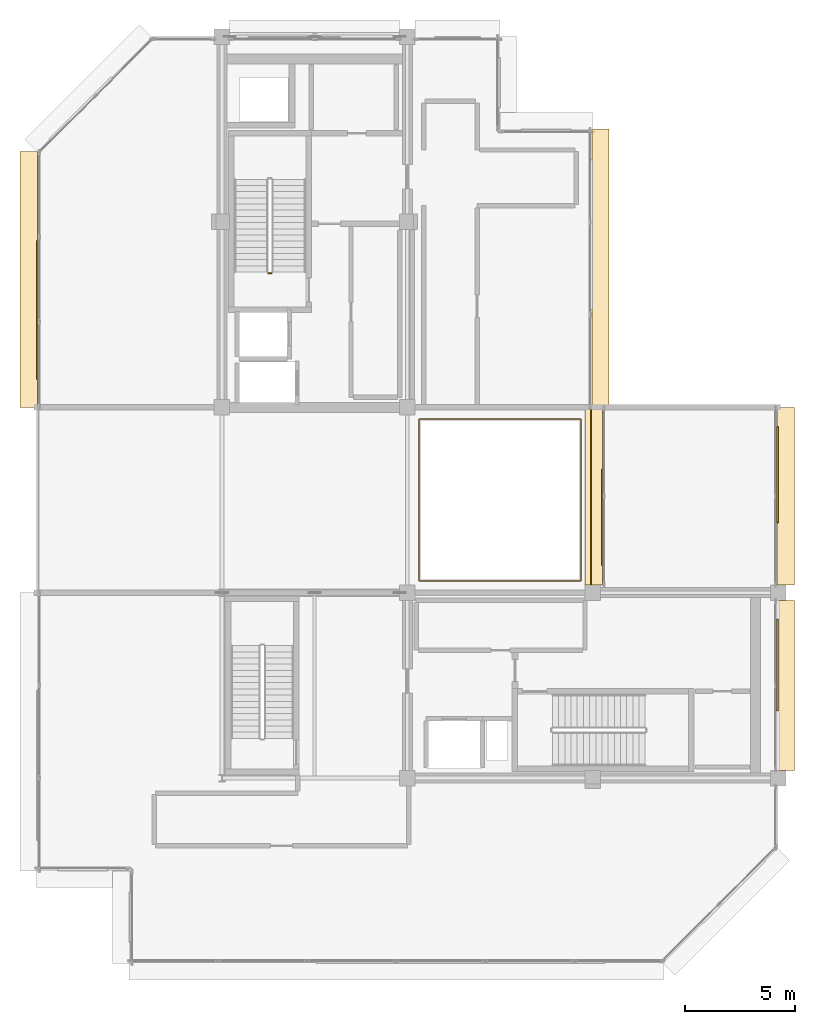
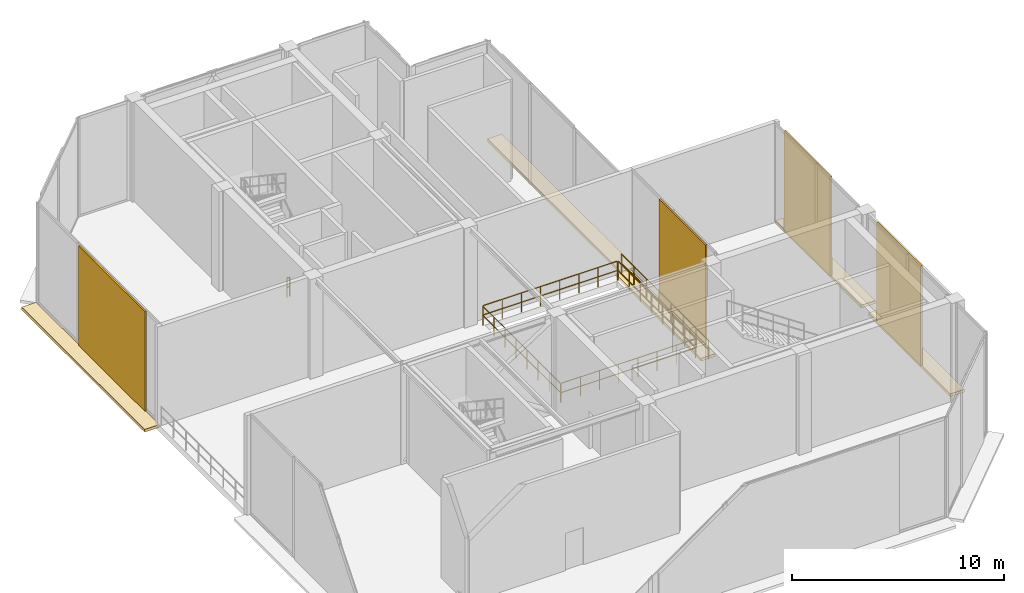
# One storey, part 18 of 19: 9 coverings, 6 railings.
"""IFC4 building model written with IfcOpenShell, lengths in metres."""

from ifc_helpers import new_model, si_unit, direction, frame, origin, origin_2d, place, context, subcontext, project, spatial, polyline, rectangle, circle, outline, extrude, material, layer, layer_set, type_object, element, save


model = new_model("IFC4")

# Units and contexts
model_context = context("Model", 3, precision=1e-05, world=origin(), true_north=direction((0.0, 1.0)))
body_context = subcontext(model_context, "Body", "Model", "MODEL_VIEW")
ifc_project = project(units=[si_unit("LENGTHUNIT", "METRE"), si_unit("AREAUNIT", "SQUARE_METRE"), si_unit("VOLUMEUNIT", "CUBIC_METRE"), si_unit("PLANEANGLEUNIT", "RADIAN"), si_unit("MASSUNIT", "GRAM", prefix="KILO")], contexts=[model_context])

# Site, building, storey
site_placement = place(None, origin())
site = spatial("IfcSite", under=ifc_project, at=site_placement, CompositionType="ELEMENT")
building_placement = place(site_placement, origin())
building = spatial("IfcBuilding", under=site, at=building_placement, Name="Nerrivon Quay Data Exchange", CompositionType="ELEMENT")
storey_placement = place(building_placement, frame((0.0, 0.0, 327.0)))
storey = spatial("IfcBuildingStorey", under=building, at=storey_placement, Name="L78", CompositionType="ELEMENT", Elevation=327.0)

# Coverings
ifc_material_1 = material(Name="Architectural terracotta ceramic", Category="masonry")
ifc_layer_1 = layer(ifc_material_1, 0.159912109375)
ifc_layer_set_1 = layer_set([ifc_layer_1], Name="Architectural terracotta ceramic")
covering_type_1 = type_object("IfcCoveringType", Name="COV-BLD-TERR", PredefinedType="CLADDING", material=ifc_layer_set_1)
covering_1_placement = place(storey_placement, frame((0.0, 0.0, -0.159912109375)))
element("IfcCovering", 1, at=covering_1_placement, inside=storey, type_object=covering_type_1, Name="L78 Horizontal Terracotta SOLAR SCREEN Blade", PredefinedType="CLADDING", context=body_context, shape_type="SweptSolid", body=[
    extrude(outline(polyline([(33.56005859375, 25.199951171875), (33.56005859375, 17.14990234375), (34.35009765625, 17.14990234375), (34.35009765625, 25.199951171875), (33.56005859375, 25.199951171875)])), origin(), (0.0, 0.0, 1.0), 0.159912109375),
])
covering_2_placement = place(storey_placement, frame((0.0, 0.0, -0.159912109375)))
element("IfcCovering", 2, at=covering_2_placement, inside=storey, type_object=covering_type_1, Name="L78 Horizontal Terracotta SOLAR SCREEN Blade", PredefinedType="CLADDING", context=body_context, shape_type="SweptSolid", body=[
    extrude(outline(polyline([(33.56005859375, 16.449951171875), (33.56005859375, 8.75), (34.35009765625, 8.75), (34.35009765625, 16.449951171875), (33.56005859375, 16.449951171875)])), origin(), (0.0, 0.0, 1.0), 0.159912109375),
])
covering_3_placement = place(storey_placement, frame((0.0, 0.0, -0.159912109375)))
element("IfcCovering", 3, at=covering_3_placement, inside=storey, type_object=covering_type_1, Name="L78 Horizontal Terracotta SOLAR SCREEN Blade", PredefinedType="CLADDING", context=body_context, shape_type="SweptSolid", body=[
    extrude(outline(polyline([(25.639892578125, 17.14990234375), (25.639892578125, 25.199951171875), (24.85009765625, 25.199951171875), (24.85009765625, 17.14990234375), (25.639892578125, 17.14990234375)])), origin(), (0.0, 0.0, 1.0), 0.159912109375),
])
covering_4_placement = place(storey_placement, frame((0.0, 0.0, -0.159912109375)))
element("IfcCovering", 4, at=covering_4_placement, inside=storey, type_object=covering_type_1, Name="L78 Horizontal Terracotta SOLAR SCREEN Blade", PredefinedType="CLADDING", context=body_context, shape_type="SweptSolid", body=[
    extrude(outline(polyline([(25.159912109375, 37.800048828125), (25.159912109375, 25.199951171875), (25.949951171875, 25.199951171875), (25.949951171875, 37.800048828125), (25.159912109375, 37.800048828125)])), origin(), (0.0, 0.0, 1.0), 0.159912109375),
])
covering_5_placement = place(storey_placement, frame((0.0, 0.0, -0.159912109375)))
element("IfcCovering", 5, at=covering_5_placement, inside=storey, type_object=covering_type_1, Name="L78 Horizontal Terracotta SOLAR SCREEN Blade", PredefinedType="CLADDING", context=body_context, shape_type="SweptSolid", body=[
    extrude(outline(polyline([(0.0400390625, 25.199951171875), (0.0400390625, 36.800048828125), (-0.75, 36.800048828125), (-0.75, 25.199951171875), (0.0400390625, 25.199951171875)])), origin(), (0.0, 0.0, 1.0), 0.159912109375),
])
ifc_layer_2 = layer(ifc_material_1, 0.090087890625)
ifc_layer_set_2 = layer_set([ifc_layer_2], Name="Architectural terracotta ceramic")
covering_type_2 = type_object("IfcCoveringType", Name="COV-SCR-TERR", PredefinedType="CLADDING", material=ifc_layer_set_2)
covering_6_placement = place(storey_placement, frame((33.554931640625, 22.14111328125, 0.0), z_axis=(0.0, 0.0, 1.0), x_axis=(0.0, -1.0, 0.0)))
element("IfcCovering", 6, at=covering_6_placement, inside=storey, type_object=covering_type_2, Name="L78 Perforated Terracotta SOLAR SCREEN Cassette", PredefinedType="CLADDING", context=body_context, shape_type="SweptSolid", body=[
    extrude(rectangle(XDim=4.346923828125, YDim=0.090087890625, at=origin_2d()), origin(), (0.0, 0.0, 1.0), 5.72509765625),
])
covering_7_placement = place(storey_placement, frame((33.554931640625, 13.52392578125, 0.0), z_axis=(0.0, 0.0, 1.0), x_axis=(0.0, -1.0, 0.0)))
element("IfcCovering", 7, at=covering_7_placement, inside=storey, type_object=covering_type_2, Name="L78 Perforated Terracotta SOLAR SCREEN Cassette", PredefinedType="CLADDING", context=body_context, shape_type="SweptSolid", body=[
    extrude(rectangle(XDim=4.157958984375, YDim=0.090087890625, at=origin_2d()), origin(), (0.0, 0.0, 1.0), 5.72509765625),
])
covering_8_placement = place(storey_placement, frame((25.64501953125, 20.208984375, 0.0), z_axis=(0.0, 0.0, 1.0), x_axis=(0.0, 1.0, 0.0)))
element("IfcCovering", 8, at=covering_8_placement, inside=storey, type_object=covering_type_2, Name="L78 Perforated Terracotta SOLAR SCREEN Cassette", PredefinedType="CLADDING", context=body_context, shape_type="SweptSolid", body=[
    extrude(rectangle(XDim=4.346923828125, YDim=0.090087890625, at=origin_2d()), origin(), (0.0, 0.0, 1.0), 5.72509765625),
])
covering_9_placement = place(storey_placement, frame((0.044921875, 29.60791015625, 0.0), z_axis=(0.0, 0.0, 1.0), x_axis=(0.0, 1.0, 0.0)))
element("IfcCovering", 9, at=covering_9_placement, inside=storey, type_object=covering_type_2, Name="L78 Perforated Terracotta SOLAR SCREEN Cassette", PredefinedType="CLADDING", context=body_context, shape_type="SweptSolid", body=[
    extrude(rectangle(XDim=6.263916015625, YDim=0.090087890625, at=origin_2d()), origin(), (0.0, 0.0, 1.0), 5.72509765625),
])

# Railings
ifc_material_2 = material(Name="Steel Grade C350L0 (350 MPa)", Category="steel")
railing_type_1 = type_object("IfcRailingType", Name="RAIL-GUARD-GR2", PredefinedType="BALUSTRADE", material=ifc_material_2)
railing_1_placement = place(storey_placement, frame((25.1201171875, 16.89990234375, 0.0)))
element("IfcRailing", 10, at=railing_1_placement, inside=storey, type_object=railing_type_1, Name="L78 Wind Portal East Edge Guard 1", PredefinedType="BALUSTRADE", context=body_context, shape_type="SweptSolid", body=[
    extrude(circle(Radius=0.02392578125, at=origin_2d()), frame((0.0, 0.0, 1.09619140625), z_axis=(0.0, 1.0, 0.0), x_axis=(-1.0, 0.0, 0.0)), (0.0, 0.0, 1.0), 8.2001953125),
    extrude(circle(Radius=0.02392578125, at=origin_2d()), frame((0.0, 0.0, 0.56005859375), z_axis=(0.0, 1.0, 0.0), x_axis=(-1.0, 0.0, 0.0)), (0.0, 0.0, 1.0), 8.2001953125),
    extrude(circle(Radius=0.02099609375, at=origin_2d()), origin(), (0.0, 0.0, 1.0), 1.072021484375),
    extrude(circle(Radius=0.02099609375, at=origin_2d()), frame((0.0, 1.17138671875, 0.0)), (0.0, 0.0, 1.0), 1.072021484375),
    extrude(circle(Radius=0.02099609375, at=origin_2d()), frame((0.0, 2.343017578125, 0.0)), (0.0, 0.0, 1.0), 1.072021484375),
    extrude(circle(Radius=0.02099609375, at=origin_2d()), frame((0.0, 3.514404296875, 0.0)), (0.0, 0.0, 1.0), 1.072021484375),
    extrude(circle(Radius=0.02099609375, at=origin_2d()), frame((0.0, 4.685791015625, 0.0)), (0.0, 0.0, 1.0), 1.072021484375),
    extrude(circle(Radius=0.02099609375, at=origin_2d()), frame((0.0, 5.857177734375, 0.0)), (0.0, 0.0, 1.0), 1.072021484375),
    extrude(circle(Radius=0.02099609375, at=origin_2d()), frame((0.0, 7.02880859375, 0.0)), (0.0, 0.0, 1.0), 1.072021484375),
    extrude(circle(Radius=0.02099609375, at=origin_2d()), frame((0.0, 8.2001953125, 0.0)), (0.0, 0.0, 1.0), 1.072021484375),
])
railing_2_placement = place(storey_placement, frame((24.64990234375, 17.320068359375, 0.0)))
element("IfcRailing", 11, at=railing_2_placement, inside=storey, type_object=railing_type_1, Name="L78 Wind Portal Void Guard 1", PredefinedType="BALUSTRADE", context=body_context, shape_type="SweptSolid", body=[
    extrude(circle(Radius=0.02392578125, at=origin_2d()), frame((0.0, 0.0, 1.09619140625), z_axis=(-1.0, 0.0, 0.0), x_axis=(0.0, -1.0, 0.0)), (0.0, 0.0, 1.0), 7.2998046875),
    extrude(circle(Radius=0.02392578125, at=origin_2d()), frame((0.0, 0.0, 0.56005859375), z_axis=(-1.0, 0.0, 0.0), x_axis=(0.0, -1.0, 0.0)), (0.0, 0.0, 1.0), 7.2998046875),
    extrude(circle(Radius=0.02099609375, at=origin_2d()), origin(), (0.0, 0.0, 1.0), 1.072021484375),
    extrude(circle(Radius=0.02099609375, at=origin_2d()), frame((-1.042724609375, 0.0, 0.0)), (0.0, 0.0, 1.0), 1.072021484375),
    extrude(circle(Radius=0.02099609375, at=origin_2d()), frame((-2.085693359375, 0.0, 0.0)), (0.0, 0.0, 1.0), 1.072021484375),
    extrude(circle(Radius=0.02099609375, at=origin_2d()), frame((-3.12841796875, 0.0, 0.0)), (0.0, 0.0, 1.0), 1.072021484375),
    extrude(circle(Radius=0.02099609375, at=origin_2d()), frame((-4.17138671875, 0.0, 0.0)), (0.0, 0.0, 1.0), 1.072021484375),
    extrude(circle(Radius=0.02099609375, at=origin_2d()), frame((-5.214111328125, 0.0, 0.0)), (0.0, 0.0, 1.0), 1.072021484375),
    extrude(circle(Radius=0.02099609375, at=origin_2d()), frame((-6.257080078125, 0.0, 0.0)), (0.0, 0.0, 1.0), 1.072021484375),
    extrude(circle(Radius=0.02099609375, at=origin_2d()), frame((-7.2998046875, 0.0, 0.0)), (0.0, 0.0, 1.0), 1.072021484375),
])
railing_3_placement = place(storey_placement, frame((17.320068359375, 17.35009765625, 0.0)))
element("IfcRailing", 12, at=railing_3_placement, inside=storey, type_object=railing_type_1, Name="L78 Wind Portal Void Guard 2", PredefinedType="BALUSTRADE", context=body_context, shape_type="SweptSolid", body=[
    extrude(circle(Radius=0.02392578125, at=origin_2d()), frame((0.0, 0.0, 1.09619140625), z_axis=(0.0, 1.0, 0.0), x_axis=(-1.0, 0.0, 0.0)), (0.0, 0.0, 1.0), 7.2998046875),
    extrude(circle(Radius=0.02392578125, at=origin_2d()), frame((0.0, 0.0, 0.56005859375), z_axis=(0.0, 1.0, 0.0), x_axis=(-1.0, 0.0, 0.0)), (0.0, 0.0, 1.0), 7.2998046875),
    extrude(circle(Radius=0.02099609375, at=origin_2d()), origin(), (0.0, 0.0, 1.0), 1.072021484375),
    extrude(circle(Radius=0.02099609375, at=origin_2d()), frame((0.0, 1.042724609375, 0.0)), (0.0, 0.0, 1.0), 1.072021484375),
    extrude(circle(Radius=0.02099609375, at=origin_2d()), frame((0.0, 2.085693359375, 0.0)), (0.0, 0.0, 1.0), 1.072021484375),
    extrude(circle(Radius=0.02099609375, at=origin_2d()), frame((0.0, 3.12841796875, 0.0)), (0.0, 0.0, 1.0), 1.072021484375),
    extrude(circle(Radius=0.02099609375, at=origin_2d()), frame((0.0, 4.17138671875, 0.0)), (0.0, 0.0, 1.0), 1.072021484375),
    extrude(circle(Radius=0.02099609375, at=origin_2d()), frame((0.0, 5.214111328125, 0.0)), (0.0, 0.0, 1.0), 1.072021484375),
    extrude(circle(Radius=0.02099609375, at=origin_2d()), frame((0.0, 6.257080078125, 0.0)), (0.0, 0.0, 1.0), 1.072021484375),
    extrude(circle(Radius=0.02099609375, at=origin_2d()), frame((0.0, 7.2998046875, 0.0)), (0.0, 0.0, 1.0), 1.072021484375),
])
railing_4_placement = place(storey_placement, frame((17.35009765625, 24.679931640625, 0.0)))
element("IfcRailing", 13, at=railing_4_placement, inside=storey, type_object=railing_type_1, Name="L78 Wind Portal Void Guard 3", PredefinedType="BALUSTRADE", context=body_context, shape_type="SweptSolid", body=[
    extrude(circle(Radius=0.02392578125, at=origin_2d()), frame((0.0, 0.0, 1.09619140625), z_axis=(1.0, 0.0, 0.0), x_axis=(0.0, 1.0, 0.0)), (0.0, 0.0, 1.0), 7.2998046875),
    extrude(circle(Radius=0.02392578125, at=origin_2d()), frame((0.0, 0.0, 0.56005859375), z_axis=(1.0, 0.0, 0.0), x_axis=(0.0, 1.0, 0.0)), (0.0, 0.0, 1.0), 7.2998046875),
    extrude(circle(Radius=0.02099609375, at=origin_2d()), origin(), (0.0, 0.0, 1.0), 1.072021484375),
    extrude(circle(Radius=0.02099609375, at=origin_2d()), frame((1.042724609375, 0.0, 0.0)), (0.0, 0.0, 1.0), 1.072021484375),
    extrude(circle(Radius=0.02099609375, at=origin_2d()), frame((2.085693359375, 0.0, 0.0)), (0.0, 0.0, 1.0), 1.072021484375),
    extrude(circle(Radius=0.02099609375, at=origin_2d()), frame((3.12841796875, 0.0, 0.0)), (0.0, 0.0, 1.0), 1.072021484375),
    extrude(circle(Radius=0.02099609375, at=origin_2d()), frame((4.17138671875, 0.0, 0.0)), (0.0, 0.0, 1.0), 1.072021484375),
    extrude(circle(Radius=0.02099609375, at=origin_2d()), frame((5.214111328125, 0.0, 0.0)), (0.0, 0.0, 1.0), 1.072021484375),
    extrude(circle(Radius=0.02099609375, at=origin_2d()), frame((6.257080078125, 0.0, 0.0)), (0.0, 0.0, 1.0), 1.072021484375),
    extrude(circle(Radius=0.02099609375, at=origin_2d()), frame((7.2998046875, 0.0, 0.0)), (0.0, 0.0, 1.0), 1.072021484375),
])
railing_5_placement = place(storey_placement, frame((24.679931640625, 24.64990234375, 0.0)))
element("IfcRailing", 14, at=railing_5_placement, inside=storey, type_object=railing_type_1, Name="L78 Wind Portal Void Guard 4", PredefinedType="BALUSTRADE", context=body_context, shape_type="SweptSolid", body=[
    extrude(circle(Radius=0.02392578125, at=origin_2d()), frame((0.0, 0.0, 1.09619140625), z_axis=(0.0, -1.0, 0.0), x_axis=(1.0, 0.0, 0.0)), (0.0, 0.0, 1.0), 7.2998046875),
    extrude(circle(Radius=0.02392578125, at=origin_2d()), frame((0.0, 0.0, 0.56005859375), z_axis=(0.0, -1.0, 0.0), x_axis=(1.0, 0.0, 0.0)), (0.0, 0.0, 1.0), 7.2998046875),
    extrude(circle(Radius=0.02099609375, at=origin_2d()), origin(), (0.0, 0.0, 1.0), 1.072021484375),
    extrude(circle(Radius=0.02099609375, at=origin_2d()), frame((0.0, -1.042724609375, 0.0)), (0.0, 0.0, 1.0), 1.072021484375),
    extrude(circle(Radius=0.02099609375, at=origin_2d()), frame((0.0, -2.085693359375, 0.0)), (0.0, 0.0, 1.0), 1.072021484375),
    extrude(circle(Radius=0.02099609375, at=origin_2d()), frame((0.0, -3.12841796875, 0.0)), (0.0, 0.0, 1.0), 1.072021484375),
    extrude(circle(Radius=0.02099609375, at=origin_2d()), frame((0.0, -4.17138671875, 0.0)), (0.0, 0.0, 1.0), 1.072021484375),
    extrude(circle(Radius=0.02099609375, at=origin_2d()), frame((0.0, -5.214111328125, 0.0)), (0.0, 0.0, 1.0), 1.072021484375),
    extrude(circle(Radius=0.02099609375, at=origin_2d()), frame((0.0, -6.257080078125, 0.0)), (0.0, 0.0, 1.0), 1.072021484375),
    extrude(circle(Radius=0.02099609375, at=origin_2d()), frame((0.0, -7.2998046875, 0.0)), (0.0, 0.0, 1.0), 1.072021484375),
])
railing_type_2 = type_object("IfcRailingType", Name="RAIL-STAIR-GR1", PredefinedType="BALUSTRADE", material=ifc_material_2)
railing_6_placement = place(storey_placement, frame((10.64990234375, 31.280029296875, 0.0)))
element("IfcRailing", 15, at=railing_6_placement, inside=storey, type_object=railing_type_2, Name="L78 ST01 stair guard 4", PredefinedType="BALUSTRADE", context=body_context, shape_type="SweptSolid", body=[
    extrude(circle(Radius=0.02392578125, at=origin_2d()), frame((0.0, 0.0, 1.076171875), z_axis=(-1.0, 0.0, 0.0), x_axis=(0.0, -1.0, 0.0)), (0.0, 0.0, 1.0), 0.14990234375),
    extrude(circle(Radius=0.02392578125, at=origin_2d()), frame((0.0, 0.0, 0.550048828125), z_axis=(-1.0, 0.0, 0.0), x_axis=(0.0, -1.0, 0.0)), (0.0, 0.0, 1.0), 0.14990234375),
    extrude(circle(Radius=0.02099609375, at=origin_2d()), origin(), (0.0, 0.0, 1.0), 1.052001953125),
    extrude(circle(Radius=0.02099609375, at=origin_2d()), frame((-0.14990234375, 0.0, 0.0)), (0.0, 0.0, 1.0), 1.052001953125),
])

save(model, "model.ifc")
